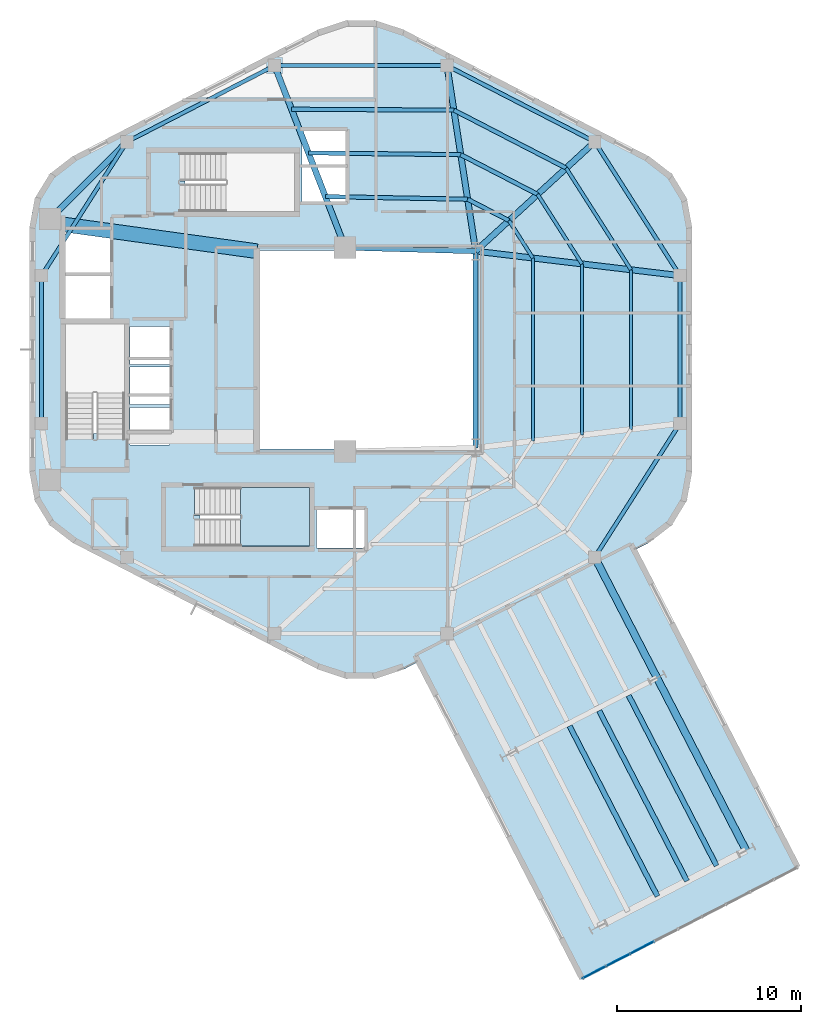
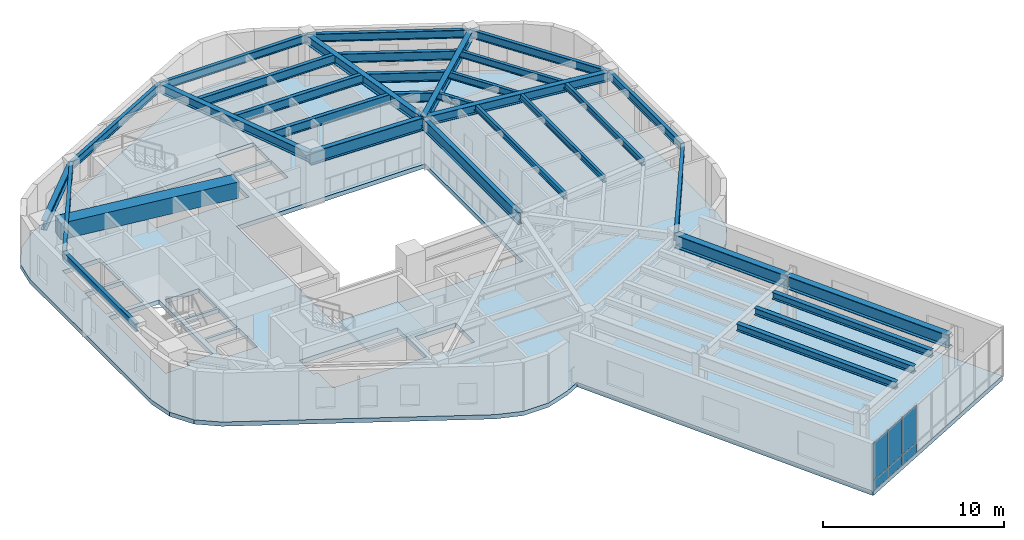
# One storey, part 5 of 11: 33 beams, 6 plates, 2 slabs, 2 elements without a shape of their own.
"""IFC4 building model written with IfcOpenShell, lengths in metres."""

from ifc_helpers import new_model, si_unit, direction, frame, origin, origin_2d, place, context, subcontext, project, spatial, polyline, rectangle, i_section, outline, extrude, material, layer, layer_set, material_profile, profile_set, type_object, element, aggregate, save


model = new_model("IFC4")

# Units and contexts
model_context = context("Model", 3, precision=1e-05, world=origin(), true_north=direction((0.0, 1.0)))
body_context = subcontext(model_context, "Body", "Model", "MODEL_VIEW")
ifc_project = project(units=[si_unit("LENGTHUNIT", "METRE"), si_unit("AREAUNIT", "SQUARE_METRE"), si_unit("VOLUMEUNIT", "CUBIC_METRE"), si_unit("PLANEANGLEUNIT", "RADIAN"), si_unit("MASSUNIT", "GRAM", prefix="KILO"), si_unit("THERMODYNAMICTEMPERATUREUNIT", "KELVIN"), si_unit("POWERUNIT", "WATT")], contexts=[model_context])

# Site, building, storey
site_placement = place(None, origin())
site = spatial("IfcSite", under=ifc_project, at=site_placement, CompositionType="ELEMENT")
building_placement = place(site_placement, origin())
building = spatial("IfcBuilding", under=site, at=building_placement, Name="Skarre Station Tower", CompositionType="ELEMENT")
storey_placement = place(building_placement, frame((0.0, 0.0, 241.89990234375)))
storey = spatial("IfcBuildingStorey", under=building, at=storey_placement, Name="L66", CompositionType="ELEMENT", Elevation=241.89990234375)

# Beams
ifc_material_1 = material(Name="Concrete C70/85", Category="concrete")
ifc_material_profile_1 = material_profile(ifc_material_1, rectangle(XDim=0.800048828125, YDim=1.10009765625, at=origin_2d()), Name="Concrete C70/85")
ifc_profile_set_1 = profile_set([ifc_material_profile_1], Name="Concrete C70/85")
beam_type_1 = type_object("IfcBeamType", Name="RC Core Coupling Lintel 800x1100", PredefinedType="LINTEL", material=ifc_profile_set_1)
beam_1_placement = place(storey_placement, frame((17.050048828125, 30.800048828125, 2.739990234375), z_axis=(0.990599723633, -0.136792498109, 0.0), x_axis=(0.136792498109, 0.990599723633, 0.0)))
element("IfcBeam", 1, at=beam_1_placement, inside=storey, type_object=beam_type_1, Name="L66 North Core Coupling Lintel", PredefinedType="LINTEL", context=body_context, shape_type="SweptSolid", body=[
    extrude(rectangle(XDim=0.800048828125, YDim=1.10009765625, at=origin_2d()), origin(), (0.0, 0.0, 1.0), 10.599609375),
])
ifc_material_2 = material(Name="Steel ASTM A992 Grade 50", Category="steel")
ifc_material_profile_2 = material_profile(ifc_material_2, i_section(OverallWidth=0.323974609375, OverallDepth=0.611083984375, WebThickness=0.012939453125, FlangeThickness=0.01904296875, at=origin_2d()), Name="Steel ASTM A992 Grade 50")
ifc_profile_set_2 = profile_set([ifc_material_profile_2], Name="Steel ASTM A992 Grade 50")
beam_type_2 = type_object("IfcBeamType", Name="Steel Beam W24X104", PredefinedType="BEAM", material=ifc_profile_set_2)
beam_2_placement = place(storey_placement, frame((39.449951171875, 29.35009765625, 2.985107421875), z_axis=(0.736547671183, 0.676385635621, 0.0), x_axis=(-0.676385635621, 0.736547671183, 0.0)))
element("IfcBeam", 2, at=beam_2_placement, inside=storey, type_object=beam_type_2, Name="L66 Radial Floor Girder F0C1", PredefinedType="BEAM", context=body_context, shape_type="SweptSolid", body=[
    extrude(i_section(OverallWidth=0.323974609375, OverallDepth=0.611083984375, WebThickness=0.012939453125, FlangeThickness=0.01904296875, at=origin_2d()), origin(), (0.0, 0.0, 1.0), 8.793701171875),
])
beam_3_placement = place(storey_placement, frame((39.449951171875, 29.35009765625, 2.985107421875), z_axis=(-0.152789762931, 0.988258715288, 0.0), x_axis=(-0.988258715288, -0.152789762931, 0.0)))
element("IfcBeam", 3, at=beam_3_placement, inside=storey, type_object=beam_type_2, Name="L66 Radial Floor Girder F0C2", PredefinedType="BEAM", context=body_context, shape_type="SweptSolid", body=[
    extrude(i_section(OverallWidth=0.323974609375, OverallDepth=0.611083984375, WebThickness=0.012939453125, FlangeThickness=0.01904296875, at=origin_2d()), origin(), (0.0, 0.0, 1.0), 10.216796875),
])
beam_4_placement = place(storey_placement, frame((32.35009765625, 29.550048828125, 2.985107421875), z_axis=(-0.361651478681, 0.932313363611, 0.0), x_axis=(-0.932313363611, -0.361651478681, 0.0)))
element("IfcBeam", 4, at=beam_4_placement, inside=storey, type_object=beam_type_2, Name="L66 Radial Floor Girder F1C1", PredefinedType="BEAM", context=body_context, shape_type="SweptSolid", body=[
    extrude(i_section(OverallWidth=0.323974609375, OverallDepth=0.611083984375, WebThickness=0.012939453125, FlangeThickness=0.01904296875, at=origin_2d()), origin(), (0.0, 0.0, 1.0), 10.615478515625),
])
beam_5_placement = place(storey_placement, frame((16.300048828125, 31.10009765625, 2.985107421875), z_axis=(0.704979413242, 0.709227768002, 0.0), x_axis=(-0.709227768002, 0.704979413242, 0.0)))
element("IfcBeam", 5, at=beam_5_placement, inside=storey, type_object=beam_type_2, Name="L66 Radial Floor Girder F1C2", PredefinedType="BEAM", context=body_context, shape_type="SweptSolid", body=[
    extrude(i_section(OverallWidth=0.323974609375, OverallDepth=0.611083984375, WebThickness=0.012939453125, FlangeThickness=0.01904296875, at=origin_2d()), origin(), (0.0, 0.0, 1.0), 5.919189453125),
])
beam_6_placement = place(storey_placement, frame((39.449951171875, 29.35009765625, 2.985107421875), z_axis=(0.99292393128, -0.118752122891, 0.0), x_axis=(0.118752122891, 0.99292393128, 0.0)))
element("IfcBeam", 6, at=beam_6_placement, inside=storey, type_object=beam_type_2, Name="L66 Radial Floor Girder F5C2", PredefinedType="BEAM", context=body_context, shape_type="SweptSolid", body=[
    extrude(i_section(OverallWidth=0.323974609375, OverallDepth=0.611083984375, WebThickness=0.012939453125, FlangeThickness=0.01904296875, at=origin_2d()), origin(), (0.0, 0.0, 1.0), 11.192138671875),
])
ifc_material_profile_3 = material_profile(ifc_material_2, i_section(OverallWidth=0.26806640625, OverallDepth=0.77001953125, WebThickness=0.01611328125, FlangeThickness=0.02490234375, at=origin_2d()), Name="Steel ASTM A992 Grade 50")
ifc_profile_set_3 = profile_set([ifc_material_profile_3], Name="Steel ASTM A992 Grade 50")
beam_type_3 = type_object("IfcBeamType", Name="Steel Beam W30X132", PredefinedType="BEAM", material=ifc_profile_set_3)
beam_7_placement = place(storey_placement, frame((39.449951171875, 18.64990234375, 2.905029296875), z_axis=(0.0, 1.0, 0.0), x_axis=(-1.0, 0.0, 0.0)))
element("IfcBeam", 7, at=beam_7_placement, inside=storey, type_object=beam_type_3, Name="L66 Atrium East Edge Girder", PredefinedType="BEAM", context=body_context, shape_type="SweptSolid", body=[
    extrude(i_section(OverallWidth=0.26806640625, OverallDepth=0.77001953125, WebThickness=0.01611328125, FlangeThickness=0.02490234375, at=origin_2d()), origin(), (0.0, 0.0, 1.0), 10.7001953125),
])
ifc_material_profile_4 = material_profile(ifc_material_2, i_section(OverallWidth=0.2919921875, OverallDepth=0.85888671875, WebThickness=0.01708984375, FlangeThickness=0.031005859375, at=origin_2d()), Name="Steel ASTM A992 Grade 50")
ifc_profile_set_4 = profile_set([ifc_material_profile_4], Name="Steel ASTM A992 Grade 50")
beam_type_4 = type_object("IfcBeamType", Name="Steel Beam W33X169", PredefinedType="BEAM", material=ifc_profile_set_4)
beam_8_placement = place(storey_placement, frame((32.35009765625, 29.550048828125, 2.861083984375), z_axis=(0.999603666405, -0.028151556095, 0.0), x_axis=(0.028151556095, 0.999603666405, 0.0)))
element("IfcBeam", 8, at=beam_8_placement, inside=storey, type_object=beam_type_4, Name="L66 Atrium North Edge Girder", PredefinedType="BEAM", context=body_context, shape_type="SweptSolid", body=[
    extrude(i_section(OverallWidth=0.2919921875, OverallDepth=0.85888671875, WebThickness=0.01708984375, FlangeThickness=0.031005859375, at=origin_2d()), origin(), (0.0, 0.0, 1.0), 7.102783203125),
])
ifc_material_profile_5 = material_profile(ifc_material_2, i_section(OverallWidth=0.40087890625, OverallDepth=0.876953125, WebThickness=0.02197265625, FlangeThickness=0.0400390625, at=origin_2d()), Name="Steel ASTM A992 Grade 50")
ifc_profile_set_5 = profile_set([ifc_material_profile_5], Name="Steel ASTM A992 Grade 50")
beam_type_5 = type_object("IfcBeamType", Name="Steel Beam W33X263", PredefinedType="BEAM", material=ifc_profile_set_5)
beam_9_placement = place(storey_placement, frame((45.927001953125, 12.701904296875, 2.826171875), z_axis=(0.45867578355, -0.888603694334, 0.0), x_axis=(0.888603694334, 0.45867578355, 0.0)))
element("IfcBeam", 9, at=beam_9_placement, inside=storey, type_object=beam_type_5, Name="L66 SB-5 Side 2 Inner Girder", PredefinedType="BEAM", context=body_context, shape_type="SweptSolid", body=[
    extrude(i_section(OverallWidth=0.40087890625, OverallDepth=0.876953125, WebThickness=0.02197265625, FlangeThickness=0.0400390625, at=origin_2d()), origin(), (0.0, 0.0, 1.0), 7.3798828125),
])
beam_10_placement = place(storey_placement, frame((49.31201171875, 6.14404296875, 2.826171875), z_axis=(0.458743525652, -0.888568724226, 0.0), x_axis=(0.888568724226, 0.458743525652, 0.0)))
element("IfcBeam", 10, at=beam_10_placement, inside=storey, type_object=beam_type_5, Name="L66 SB-5 Side 2 Outer Girder", PredefinedType="BEAM", context=body_context, shape_type="SweptSolid", body=[
    extrude(i_section(OverallWidth=0.40087890625, OverallDepth=0.876953125, WebThickness=0.02197265625, FlangeThickness=0.0400390625, at=origin_2d()), origin(), (0.0, 0.0, 1.0), 10.56982421875),
])
ifc_material_profile_6 = material_profile(ifc_material_2, i_section(OverallWidth=0.177978515625, OverallDepth=0.403076171875, WebThickness=0.008056640625, FlangeThickness=0.010986328125, at=origin_2d()), Name="Steel ASTM A992 Grade 50")
ifc_profile_set_6 = profile_set([ifc_material_profile_6], Name="Steel ASTM A992 Grade 50")
beam_type_6 = type_object("IfcBeamType", Name="Steel Joist W16X36", PredefinedType="JOIST", material=ifc_profile_set_6)
beam_11_placement = place(storey_placement, frame((42.56201171875, 19.02197265625, 3.088134765625), z_axis=(0.0, 1.0, 0.0), x_axis=(-1.0, 0.0, 0.0)))
element("IfcBeam", 11, at=beam_11_placement, inside=storey, type_object=beam_type_6, Name="L66 Auxiliary Composite Joist 21", PredefinedType="JOIST", context=body_context, shape_type="SweptSolid", body=[
    extrude(i_section(OverallWidth=0.177978515625, OverallDepth=0.403076171875, WebThickness=0.008056640625, FlangeThickness=0.010986328125, at=origin_2d()), origin(), (0.0, 0.0, 1.0), 9.9560546875),
])
beam_12_placement = place(storey_placement, frame((45.22900390625, 19.341064453125, 3.088134765625), z_axis=(0.0, 1.0, 0.0), x_axis=(-1.0, 0.0, 0.0)))
element("IfcBeam", 12, at=beam_12_placement, inside=storey, type_object=beam_type_6, Name="L66 Auxiliary Composite Joist 22", PredefinedType="JOIST", context=body_context, shape_type="SweptSolid", body=[
    extrude(i_section(OverallWidth=0.177978515625, OverallDepth=0.403076171875, WebThickness=0.008056640625, FlangeThickness=0.010986328125, at=origin_2d()), origin(), (0.0, 0.0, 1.0), 9.31787109375),
])
beam_13_placement = place(storey_placement, frame((47.89599609375, 19.659912109375, 3.088134765625), z_axis=(0.0, 1.0, 0.0), x_axis=(-1.0, 0.0, 0.0)))
element("IfcBeam", 13, at=beam_13_placement, inside=storey, type_object=beam_type_6, Name="L66 Auxiliary Composite Joist 23", PredefinedType="JOIST", context=body_context, shape_type="SweptSolid", body=[
    extrude(i_section(OverallWidth=0.177978515625, OverallDepth=0.403076171875, WebThickness=0.008056640625, FlangeThickness=0.010986328125, at=origin_2d()), origin(), (0.0, 0.0, 1.0), 8.68017578125),
])
ifc_material_profile_7 = material_profile(ifc_material_2, i_section(OverallWidth=0.19091796875, OverallDepth=0.45703125, WebThickness=0.009033203125, FlangeThickness=0.013916015625, at=origin_2d()), Name="Steel ASTM A992 Grade 50")
ifc_profile_set_7 = profile_set([ifc_material_profile_7], Name="Steel ASTM A992 Grade 50")
beam_type_7 = type_object("IfcBeamType", Name="Steel Joist W18X50", PredefinedType="JOIST", material=ifc_profile_set_7)
beam_14_placement = place(storey_placement, frame((42.56201171875, 28.97802734375, 3.06201171875), z_axis=(-0.537437848622, 0.843303361116, 0.0), x_axis=(-0.843303361116, -0.537437848622, 0.0)))
element("IfcBeam", 14, at=beam_14_placement, inside=storey, type_object=beam_type_7, Name="L66 Auxiliary Composite Joist 24", PredefinedType="JOIST", context=body_context, shape_type="SweptSolid", body=[
    extrude(i_section(OverallWidth=0.19091796875, OverallDepth=0.45703125, WebThickness=0.009033203125, FlangeThickness=0.013916015625, at=origin_2d()), origin(), (0.0, 0.0, 1.0), 2.415283203125),
])
beam_15_placement = place(storey_placement, frame((45.22900390625, 28.658935546875, 3.06201171875), z_axis=(-0.53731551376, 0.843381312737, 0.0), x_axis=(-0.843381312737, -0.53731551376, 0.0)))
element("IfcBeam", 15, at=beam_15_placement, inside=storey, type_object=beam_type_7, Name="L66 Auxiliary Composite Joist 25", PredefinedType="JOIST", context=body_context, shape_type="SweptSolid", body=[
    extrude(i_section(OverallWidth=0.19091796875, OverallDepth=0.45703125, WebThickness=0.009033203125, FlangeThickness=0.013916015625, at=origin_2d()), origin(), (0.0, 0.0, 1.0), 4.48681640625),
])
beam_16_placement = place(storey_placement, frame((47.89599609375, 28.340087890625, 3.06201171875), z_axis=(-0.537292232804, 0.843396144507, 0.0), x_axis=(-0.843396144507, -0.537292232804, 0.0)))
element("IfcBeam", 16, at=beam_16_placement, inside=storey, type_object=beam_type_7, Name="L66 Auxiliary Composite Joist 26", PredefinedType="JOIST", context=body_context, shape_type="SweptSolid", body=[
    extrude(i_section(OverallWidth=0.19091796875, OverallDepth=0.45703125, WebThickness=0.009033203125, FlangeThickness=0.013916015625, at=origin_2d()), origin(), (0.0, 0.0, 1.0), 6.556884765625),
])
ifc_material_profile_8 = material_profile(ifc_material_2, i_section(OverallWidth=0.280029296875, OverallDepth=0.462890625, WebThickness=0.010986328125, FlangeThickness=0.01708984375, at=origin_2d()), Name="Steel ASTM A992 Grade 50")
ifc_profile_set_8 = profile_set([ifc_material_profile_8], Name="Steel ASTM A992 Grade 50")
beam_type_8 = type_object("IfcBeamType", Name="Steel Joist W18X76", PredefinedType="JOIST", material=ifc_profile_set_8)
beam_17_placement = place(storey_placement, frame((44.554931640625, 3.527099609375, 3.033203125), z_axis=(0.458753264473, -0.888563696274, 0.0), x_axis=(0.888563696274, 0.458753264473, 0.0)))
element("IfcBeam", 17, at=beam_17_placement, inside=storey, type_object=beam_type_8, Name="L66 SB-5 Outer Deck Joist 2", PredefinedType="JOIST", context=body_context, shape_type="SweptSolid", body=[
    extrude(i_section(OverallWidth=0.280029296875, OverallDepth=0.462890625, WebThickness=0.010986328125, FlangeThickness=0.01708984375, at=origin_2d()), origin(), (0.0, 0.0, 1.0), 10.426025390625),
])
for number, where, z_axis, x_axis, name in (
    (18, (46.1630859375, 4.35595703125, 3.033203125), (0.458762809961, -0.888558768004, 0.0), (0.888558768004, 0.458762809961, 0.0), "L66 SB-5 Outer Deck Joist 3"),
    (19, (47.77001953125, 5.18603515625, 3.033203125), (0.458762809961, -0.888558768004, 0.0), (0.888558768004, 0.458762809961, 0.0), "L66 SB-5 Outer Deck Joist 4"),
):
    element("IfcBeam", number, at=place(storey_placement, frame(where, z_axis=z_axis, x_axis=x_axis)), inside=storey, type_object=beam_type_8, Name=name, PredefinedType="JOIST", context=body_context, shape_type="SweptSolid", body=[
        extrude(i_section(OverallWidth=0.280029296875, OverallDepth=0.462890625, WebThickness=0.010986328125, FlangeThickness=0.01708984375, at=origin_2d()), origin(), (0.0, 0.0, 1.0), 10.42578125),
    ])
ifc_material_profile_9 = material_profile(ifc_material_2, i_section(OverallWidth=0.22802734375, OverallDepth=0.60791015625, WebThickness=0.010986328125, FlangeThickness=0.01708984375, at=origin_2d()), Name="Steel ASTM A992 Grade 50")
ifc_profile_set_9 = profile_set([ifc_material_profile_9], Name="Steel ASTM A992 Grade 50")
beam_type_9 = type_object("IfcBeamType", Name="Steel Joist W24X76", PredefinedType="JOIST", material=ifc_profile_set_9)
beam_18_placement = place(storey_placement, frame((41.263916015625, 31.014892578125, 2.986083984375), z_axis=(-0.888569970054, 0.458741112522, 0.0), x_axis=(-0.458741112522, -0.888569970054, 0.0)))
element("IfcBeam", 20, at=beam_18_placement, inside=storey, type_object=beam_type_9, Name="L66 Secondary Floor Joist 1", PredefinedType="JOIST", context=body_context, shape_type="SweptSolid", body=[
    extrude(i_section(OverallWidth=0.22802734375, OverallDepth=0.60791015625, WebThickness=0.010986328125, FlangeThickness=0.01708984375, at=origin_2d()), origin(), (0.0, 0.0, 1.0), 2.533203125),
])
beam_19_placement = place(storey_placement, frame((42.818115234375, 32.443115234375, 2.986083984375), z_axis=(-0.88866637077, 0.458554338614, 0.0), x_axis=(-0.458554338614, -0.88866637077, 0.0)))
element("IfcBeam", 21, at=beam_19_placement, inside=storey, type_object=beam_type_9, Name="L66 Secondary Floor Joist 2", PredefinedType="JOIST", context=body_context, shape_type="SweptSolid", body=[
    extrude(i_section(OverallWidth=0.22802734375, OverallDepth=0.60791015625, WebThickness=0.010986328125, FlangeThickness=0.01708984375, at=origin_2d()), origin(), (0.0, 0.0, 1.0), 4.703857421875),
])
beam_20_placement = place(storey_placement, frame((44.373046875, 33.8701171875, 2.986083984375), z_axis=(-0.888578636, 0.458724326414, 0.0), x_axis=(-0.458724326414, -0.888578636, 0.0)))
element("IfcBeam", 22, at=beam_20_placement, inside=storey, type_object=beam_type_9, Name="L66 Secondary Floor Joist 3", PredefinedType="JOIST", context=body_context, shape_type="SweptSolid", body=[
    extrude(i_section(OverallWidth=0.22802734375, OverallDepth=0.60791015625, WebThickness=0.010986328125, FlangeThickness=0.01708984375, at=origin_2d()), origin(), (0.0, 0.0, 1.0), 6.875244140625),
])
beam_21_placement = place(storey_placement, frame((39.012939453125, 32.177001953125, 2.986083984375), z_axis=(-0.999826787326, 0.018611699149, 0.0), x_axis=(-0.018611699149, -0.999826787326, 0.0)))
element("IfcBeam", 23, at=beam_21_placement, inside=storey, type_object=beam_type_9, Name="L66 Secondary Floor Joist 4", PredefinedType="JOIST", context=body_context, shape_type="SweptSolid", body=[
    extrude(i_section(OverallWidth=0.22802734375, OverallDepth=0.60791015625, WebThickness=0.010986328125, FlangeThickness=0.01708984375, at=origin_2d()), origin(), (0.0, 0.0, 1.0), 7.7392578125),
])
beam_22_placement = place(storey_placement, frame((38.637939453125, 34.60009765625, 2.986083984375), z_axis=(-0.999932931577, 0.011581552035, 0.0), x_axis=(-0.011581552035, -0.999932931577, 0.0)))
element("IfcBeam", 24, at=beam_22_placement, inside=storey, type_object=beam_type_9, Name="L66 Secondary Floor Joist 5", PredefinedType="JOIST", context=body_context, shape_type="SweptSolid", body=[
    extrude(i_section(OverallWidth=0.22802734375, OverallDepth=0.60791015625, WebThickness=0.010986328125, FlangeThickness=0.01708984375, at=origin_2d()), origin(), (0.0, 0.0, 1.0), 8.284423828125),
])
beam_23_placement = place(storey_placement, frame((38.263916015625, 37.02392578125, 2.986083984375), z_axis=(-0.999985173054, 0.005445518551, 0.0), x_axis=(-0.005445518551, -0.999985173054, 0.0)))
element("IfcBeam", 25, at=beam_23_placement, inside=storey, type_object=beam_type_9, Name="L66 Secondary Floor Joist 6", PredefinedType="JOIST", context=body_context, shape_type="SweptSolid", body=[
    extrude(i_section(OverallWidth=0.22802734375, OverallDepth=0.60791015625, WebThickness=0.010986328125, FlangeThickness=0.01708984375, at=origin_2d()), origin(), (0.0, 0.0, 1.0), 8.832275390625),
])
ifc_material_profile_10 = material_profile(ifc_material_2, i_section(OverallWidth=0.214111328125, OverallDepth=0.549072265625, WebThickness=0.014892578125, FlangeThickness=0.02392578125, at=origin_2d()), Name="Steel ASTM A992 Grade 50")
ifc_profile_set_10 = profile_set([ifc_material_profile_10], Name="Steel ASTM A992 Grade 50")
beam_type_10 = type_object("IfcBeamType", Name="Steel Spandrel W21X93", PredefinedType="SPANDREL", material=ifc_profile_set_10)
beam_24_placement = place(storey_placement, frame((45.927001953125, 35.298095703125, 3.01611328125), z_axis=(-0.888610011727, 0.458663544505, 0.0), x_axis=(-0.458663544505, -0.888610011727, 0.0)))
element("IfcBeam", 26, at=beam_24_placement, inside=storey, type_object=beam_type_10, Name="L66 Facet Spandrel Beam 1", PredefinedType="SPANDREL", context=body_context, shape_type="SweptSolid", body=[
    extrude(i_section(OverallWidth=0.214111328125, OverallDepth=0.549072265625, WebThickness=0.014892578125, FlangeThickness=0.02392578125, at=origin_2d()), origin(), (0.0, 0.0, 1.0), 9.045654296875),
])
beam_25_placement = place(storey_placement, frame((37.888916015625, 39.447021484375, 3.01611328125), z_axis=(-1.0, 0.0, 0.0), x_axis=(0.0, -1.0, 0.0)))
element("IfcBeam", 27, at=beam_25_placement, inside=storey, type_object=beam_type_10, Name="L66 Facet Spandrel Beam 2", PredefinedType="SPANDREL", context=body_context, shape_type="SweptSolid", body=[
    extrude(i_section(OverallWidth=0.214111328125, OverallDepth=0.549072265625, WebThickness=0.014892578125, FlangeThickness=0.02392578125, at=origin_2d()), origin(), (0.0, 0.0, 1.0), 9.3779296875),
])
beam_26_placement = place(storey_placement, frame((28.510986328125, 39.447021484375, 3.01611328125), z_axis=(-0.888610011727, -0.458663544505, 0.0), x_axis=(0.458663544505, -0.888610011727, 0.0)))
element("IfcBeam", 28, at=beam_26_placement, inside=storey, type_object=beam_type_10, Name="L66 Facet Spandrel Beam 3", PredefinedType="SPANDREL", context=body_context, shape_type="SweptSolid", body=[
    extrude(i_section(OverallWidth=0.214111328125, OverallDepth=0.549072265625, WebThickness=0.014892578125, FlangeThickness=0.02392578125, at=origin_2d()), origin(), (0.0, 0.0, 1.0), 9.045654296875),
])
beam_27_placement = place(storey_placement, frame((20.472900390625, 35.298095703125, 3.01611328125), z_axis=(-0.537296523663, -0.843393410965, 0.0), x_axis=(0.843393410965, -0.537296523663, 0.0)))
element("IfcBeam", 29, at=beam_27_placement, inside=storey, type_object=beam_type_10, Name="L66 Facet Spandrel Beam 4", PredefinedType="SPANDREL", context=body_context, shape_type="SweptSolid", body=[
    extrude(i_section(OverallWidth=0.214111328125, OverallDepth=0.549072265625, WebThickness=0.014892578125, FlangeThickness=0.02392578125, at=origin_2d()), origin(), (0.0, 0.0, 1.0), 8.62841796875),
])
beam_28_placement = place(storey_placement, frame((15.8369140625, 28.02099609375, 3.01611328125), z_axis=(0.0, -1.0, 0.0), x_axis=(1.0, 0.0, 0.0)))
element("IfcBeam", 30, at=beam_28_placement, inside=storey, type_object=beam_type_10, Name="L66 Facet Spandrel Beam 5", PredefinedType="SPANDREL", context=body_context, shape_type="SweptSolid", body=[
    extrude(i_section(OverallWidth=0.214111328125, OverallDepth=0.549072265625, WebThickness=0.014892578125, FlangeThickness=0.02392578125, at=origin_2d()), origin(), (0.0, 0.0, 1.0), 8.0419921875),
])
beam_29_placement = place(storey_placement, frame((45.927001953125, 12.701904296875, 3.01611328125), z_axis=(0.537296523663, 0.843393410965, 0.0), x_axis=(-0.843393410965, 0.537296523663, 0.0)))
element("IfcBeam", 31, at=beam_29_placement, inside=storey, type_object=beam_type_10, Name="L66 Facet Spandrel Beam 10", PredefinedType="SPANDREL", context=body_context, shape_type="SweptSolid", body=[
    extrude(i_section(OverallWidth=0.214111328125, OverallDepth=0.549072265625, WebThickness=0.014892578125, FlangeThickness=0.02392578125, at=origin_2d()), origin(), (0.0, 0.0, 1.0), 8.62841796875),
])
beam_30_placement = place(storey_placement, frame((50.56298828125, 19.97900390625, 3.01611328125), z_axis=(0.0, 1.0, 0.0), x_axis=(-1.0, 0.0, 0.0)))
element("IfcBeam", 32, at=beam_30_placement, inside=storey, type_object=beam_type_10, Name="L66 Facet Spandrel Beam 11", PredefinedType="SPANDREL", context=body_context, shape_type="SweptSolid", body=[
    extrude(i_section(OverallWidth=0.214111328125, OverallDepth=0.549072265625, WebThickness=0.014892578125, FlangeThickness=0.02392578125, at=origin_2d()), origin(), (0.0, 0.0, 1.0), 8.0419921875),
])
beam_31_placement = place(storey_placement, frame((50.56298828125, 28.02099609375, 3.01611328125), z_axis=(-0.537296523663, 0.843393410965, 0.0), x_axis=(-0.843393410965, -0.537296523663, 0.0)))
element("IfcBeam", 33, at=beam_31_placement, inside=storey, type_object=beam_type_10, Name="L66 Facet Spandrel Beam 12", PredefinedType="SPANDREL", context=body_context, shape_type="SweptSolid", body=[
    extrude(i_section(OverallWidth=0.214111328125, OverallDepth=0.549072265625, WebThickness=0.014892578125, FlangeThickness=0.02392578125, at=origin_2d()), origin(), (0.0, 0.0, 1.0), 8.62841796875),
])

# Curtain wall, plates
ifc_material_3 = material(Name="Thermally Broken Bronze-Anodized Aluminium & Triple Low-E Glass", Category="aluminium")
ifc_layer_1 = layer(ifc_material_3, 0.2099609375, Name="Thermally Broken Bronze-Anodized Aluminium & Triple Low-E Glass")
ifc_layer_set_1 = layer_set([ifc_layer_1], Name="Thermally Broken Bronze-Anodized Aluminium & Triple Low-E Glass")
curtain_wall_type = type_object("IfcCurtainWallType", Name="Sky-Bar Prow Structural Glazed Curtain Wall", PredefinedType="NOTDEFINED", material=ifc_layer_set_1)
curtain_wall_placement = place(storey_placement, origin())
curtain_wall = element("IfcCurtainWall", 34, at=curtain_wall_placement, inside=storey, type_object=curtain_wall_type, Name="L66 SB-5 Lakefront Prow Curtain Wall", PredefinedType="NOTDEFINED")
ifc_material_4 = material(Name="Insulated Bronze Anodized Aluminium Spandrel", Category="aluminium")
ifc_layer_2 = layer(ifc_material_4, 0.052001953125, Name="Insulated Bronze Anodized Aluminium Spandrel")
ifc_layer_set_2 = layer_set([ifc_layer_2], Name="Insulated Bronze Anodized Aluminium Spandrel")
plate_type_1 = type_object("IfcPlateType", Name="Bronze Insulated Spandrel Sheet Panel 52", PredefinedType="SHEET", material=ifc_layer_set_2)
plate_1_placement = place(storey_placement, frame((48.4990234375, -8.533935546875, 0.052001953125), z_axis=(0.0, 0.0, 1.0), x_axis=(-0.888577204547, -0.45872709922, 0.0)))
plate_1 = element("IfcPlate", 35, at=plate_1_placement, type_object=plate_type_1, Name="L66 SB-5 Lakefront Prow Curtain Wall Spandrel Panel 7-1", PredefinedType="SHEET", context=body_context, shape_type="SweptSolid", body=[
    extrude(rectangle(XDim=1.443115234375, YDim=0.052001953125, at=origin_2d()), origin(), (0.0, 0.0, 1.0), 0.68603515625),
])
plate_2_placement = place(storey_placement, frame((47.196044921875, -9.20703125, 0.052001953125), z_axis=(0.0, 0.0, 1.0), x_axis=(-0.888577204547, -0.45872709922, 0.0)))
plate_2 = element("IfcPlate", 36, at=plate_2_placement, type_object=plate_type_1, Name="L66 SB-5 Lakefront Prow Curtain Wall Spandrel Panel 8-1", PredefinedType="SHEET", context=body_context, shape_type="SweptSolid", body=[
    extrude(rectangle(XDim=1.443115234375, YDim=0.052001953125, at=origin_2d()), origin(), (0.0, 0.0, 1.0), 0.68603515625),
])
plate_3_placement = place(storey_placement, frame((45.89306640625, -9.8798828125, 0.052001953125), z_axis=(0.0, 0.0, 1.0), x_axis=(-0.888577204547, -0.45872709922, 0.0)))
plate_3 = element("IfcPlate", 37, at=plate_3_placement, type_object=plate_type_1, Name="L66 SB-5 Lakefront Prow Curtain Wall Spandrel Panel 9-1", PredefinedType="SHEET", context=body_context, shape_type="SweptSolid", body=[
    extrude(rectangle(XDim=1.443115234375, YDim=0.052001953125, at=origin_2d()), origin(), (0.0, 0.0, 1.0), 0.68603515625),
])

# Stair, slab
ifc_material_5 = material(Name="Concrete C40/50", Category="concrete")
stair_type = type_object("IfcStairType", Name="Reinforced Concrete Exit Stair ST-2", PredefinedType="HALF_TURN_STAIR", material=ifc_material_5)
stair_placement = place(storey_placement, origin())
stair = element("IfcStair", 38, at=stair_placement, inside=storey, type_object=stair_type, Name="L66 Core Exit Stair ST-2", PredefinedType="HALF_TURN_STAIR")
ifc_layer_3 = layer(ifc_material_5, 0.219970703125, Name="Concrete C40/50")
ifc_layer_set_3 = layer_set([ifc_layer_3], Name="Concrete C40/50")
slab_type_1 = type_object("IfcSlabType", Name="Reinforced Concrete Stair & Ramp Landing 220", PredefinedType="LANDING", material=ifc_layer_set_3)
slab_1_placement = place(storey_placement, frame((0.0, 0.0, 1.5751953125)))
slab_1 = element("IfcSlab", 39, at=slab_1_placement, type_object=slab_type_1, Name="ST-2 landing 1", PredefinedType="LANDING", context=body_context, shape_type="SweptSolid", body=[
    extrude(outline(polyline([(26.669921875, 13.300048828125), (30.39990234375, 13.300048828125), (30.39990234375, 16.5), (26.669921875, 16.5), (26.669921875, 13.300048828125)])), origin(), (0.0, 0.0, 1.0), 0.199951171875),
])
aggregate(stair, [slab_1])

# Slab
ifc_material_6 = material(Name="Concrete C50/60", Category="concrete")
ifc_layer_4 = layer(ifc_material_6, 0.2900390625, Name="Concrete C50/60")
ifc_layer_set_4 = layer_set([ifc_layer_4], Name="Concrete C50/60")
slab_type_2 = type_object("IfcSlabType", Name="Sky-Bar Composite Floor Slab 290", PredefinedType="FLOOR", material=ifc_layer_set_4)
slab_2_placement = place(storey_placement, frame((0.0, 0.0, -0.289794921875)))
element("IfcSlab", 40, at=slab_2_placement, inside=storey, type_object=slab_type_2, Name="L66 Tower and SB-5 Floor Slab", PredefinedType="FLOOR", context=body_context, shape_type="SweptSolid", body=[
    extrude(outline(polyline([(48.071044921875, 13.077880859375), (48.905029296875, 13.508056640625), (50.1279296875, 14.455078125), (50.93310546875, 15.777099609375), (51.212890625, 17.298095703125), (51.212890625, 30.701904296875), (50.93310546875, 32.222900390625), (50.1279296875, 33.544921875), (48.905029296875, 34.491943359375), (35.508056640625, 41.407958984375), (33.99609375, 41.906005859375), (32.404052734375, 41.906005859375), (30.89208984375, 41.407958984375), (17.4951171875, 34.491943359375), (16.27197265625, 33.544921875), (15.467041015625, 32.222900390625), (15.18701171875, 30.701904296875), (15.18701171875, 17.298095703125), (15.467041015625, 15.777099609375), (16.27197265625, 14.455078125), (17.4951171875, 13.508056640625), (30.89208984375, 6.592041015625), (32.404052734375, 6.093994140625), (33.99609375, 6.093994140625), (35.508056640625, 6.592041015625), (36.342041015625, 7.02197265625), (45.240966796875, -10.216064453125), (56.969970703125, -4.160888671875), (48.071044921875, 13.077880859375)]), holes=[polyline([(18.669921875, 19.419921875), (18.669921875, 19.123046875), (17.14990234375, 19.123046875), (17.14990234375, 25.39990234375), (20.35009765625, 25.39990234375), (20.35009765625, 19.419921875), (18.669921875, 19.419921875)]), polyline([(24.449951171875, 14.97998046875), (24.153076171875, 14.97998046875), (24.153076171875, 16.5), (30.39990234375, 16.5), (30.39990234375, 13.300048828125), (24.449951171875, 13.300048828125), (24.449951171875, 14.97998046875)]), polyline([(23.64990234375, 33.179931640625), (23.35302734375, 33.179931640625), (23.35302734375, 34.699951171875), (29.60009765625, 34.699951171875), (29.60009765625, 31.5), (23.64990234375, 31.5), (23.64990234375, 33.179931640625)]), polyline([(17.14990234375, 28.0), (19.550048828125, 28.0), (19.550048828125, 25.699951171875), (17.14990234375, 25.699951171875), (17.14990234375, 28.0)]), polyline([(17.14990234375, 30.5), (19.550048828125, 30.5), (19.550048828125, 28.199951171875), (17.14990234375, 28.199951171875), (17.14990234375, 30.5)]), polyline([(30.800048828125, 15.300048828125), (33.39990234375, 15.300048828125), (33.39990234375, 13.199951171875), (30.800048828125, 13.199951171875), (30.800048828125, 15.300048828125)]), polyline([(20.64990234375, 20.85009765625), (22.800048828125, 20.85009765625), (22.800048828125, 18.800048828125), (20.64990234375, 18.800048828125), (20.64990234375, 20.85009765625)]), polyline([(20.64990234375, 23.050048828125), (22.800048828125, 23.050048828125), (22.800048828125, 21.0), (20.64990234375, 21.0), (20.64990234375, 23.050048828125)]), polyline([(20.64990234375, 25.25), (22.800048828125, 25.25), (22.800048828125, 23.199951171875), (20.64990234375, 23.199951171875), (20.64990234375, 25.25)]), polyline([(30.0, 33.89990234375), (32.39990234375, 33.89990234375), (32.39990234375, 32.050048828125), (30.0, 32.050048828125), (30.0, 33.89990234375)]), polyline([(30.0, 35.89990234375), (32.39990234375, 35.89990234375), (32.39990234375, 34.050048828125), (30.0, 34.050048828125), (30.0, 35.89990234375)]), polyline([(27.60009765625, 29.39990234375), (39.60009765625, 29.39990234375), (39.60009765625, 18.60009765625), (27.60009765625, 18.60009765625), (27.60009765625, 29.39990234375)])]), origin(), (0.0, 0.0, 1.0), 0.289794921875),
])

# Plate
ifc_material_7 = material(Name="Low-Iron Triple Insulating Glass Unit", Category="glass")
ifc_layer_5 = layer(ifc_material_7, 0.0439453125, Name="Low-Iron Triple Insulating Glass Unit")
ifc_layer_set_5 = layer_set([ifc_layer_5], Name="Low-Iron Triple Insulating Glass Unit")
plate_type_2 = type_object("IfcPlateType", Name="Triple-Glazed Vision Curtain Panel 44", PredefinedType="CURTAIN_PANEL", material=ifc_layer_set_5)
plate_4_placement = place(storey_placement, frame((48.4990234375, -8.533935546875, 0.761962890625), z_axis=(0.0, 0.0, 1.0), x_axis=(-0.888577204547, -0.45872709922, 0.0)))
plate_4 = element("IfcPlate", 41, at=plate_4_placement, type_object=plate_type_2, Name="L66 SB-5 Lakefront Prow Curtain Wall Vision Panel 7-2", PredefinedType="CURTAIN_PANEL", context=body_context, shape_type="SweptSolid", body=[
    extrude(rectangle(XDim=1.443115234375, YDim=0.0439453125, at=origin_2d()), origin(), (0.0, 0.0, 1.0), 2.47607421875),
])

plate_5_placement = place(storey_placement, frame((47.196044921875, -9.20703125, 0.761962890625), z_axis=(0.0, 0.0, 1.0), x_axis=(-0.888577204547, -0.45872709922, 0.0)))
plate_5 = element("IfcPlate", 42, at=plate_5_placement, type_object=plate_type_2, Name="L66 SB-5 Lakefront Prow Curtain Wall Vision Panel 8-2", PredefinedType="CURTAIN_PANEL", context=body_context, shape_type="SweptSolid", body=[
    extrude(rectangle(XDim=1.443115234375, YDim=0.0439453125, at=origin_2d()), origin(), (0.0, 0.0, 1.0), 2.47607421875),
])

plate_6_placement = place(storey_placement, frame((45.89306640625, -9.8798828125, 0.761962890625), z_axis=(0.0, 0.0, 1.0), x_axis=(-0.888577204547, -0.45872709922, 0.0)))
plate_6 = element("IfcPlate", 43, at=plate_6_placement, type_object=plate_type_2, Name="L66 SB-5 Lakefront Prow Curtain Wall Vision Panel 9-2", PredefinedType="CURTAIN_PANEL", context=body_context, shape_type="SweptSolid", body=[
    extrude(rectangle(XDim=1.443115234375, YDim=0.0439453125, at=origin_2d()), origin(), (0.0, 0.0, 1.0), 2.47607421875),
])

aggregate(curtain_wall, [plate_1, plate_4, plate_2, plate_5, plate_3, plate_6])

save(model, "model.ifc")
